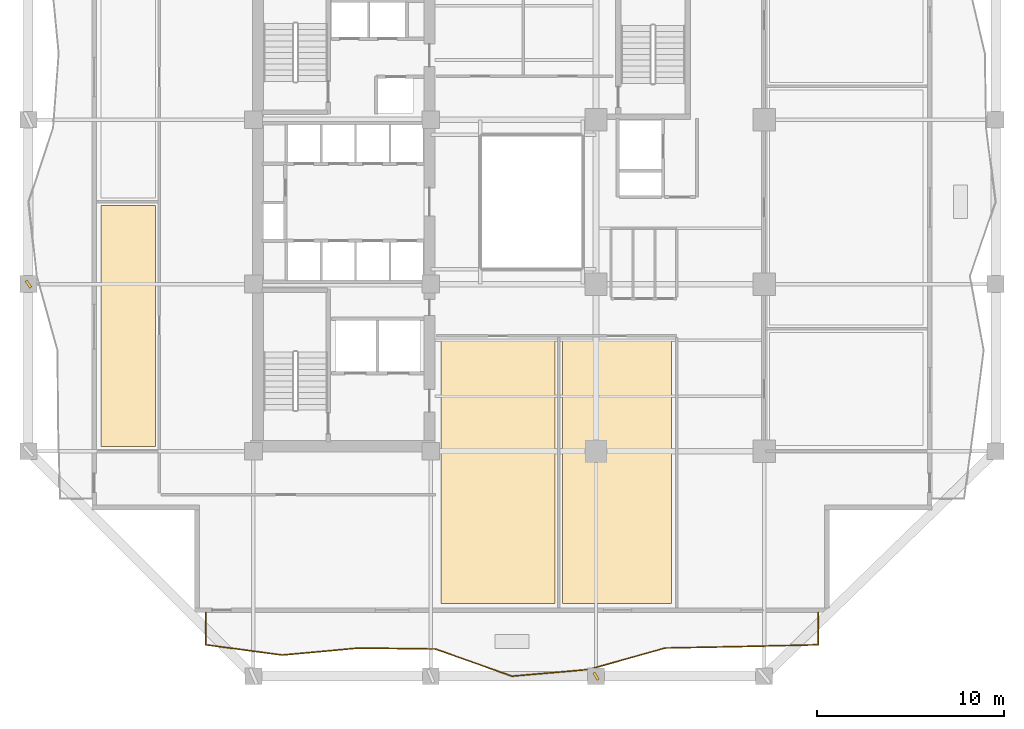
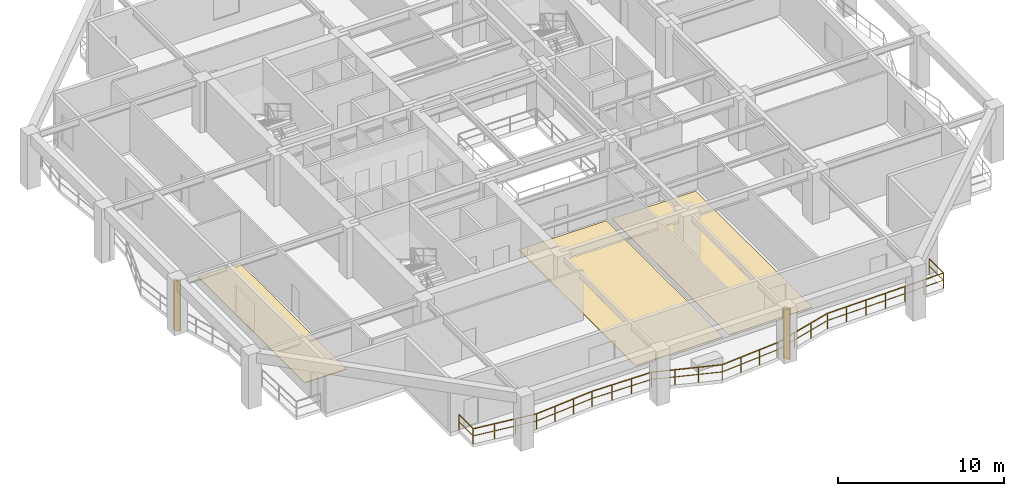
# One storey, part 7 of 12: 3 coverings, 2 shading devices, 1 railing.
"""IFC4 building model written with IfcOpenShell, lengths in metres."""

from ifc_helpers import new_model, si_unit, direction, frame, origin, origin_2d, place, context, subcontext, project, spatial, polyline, rectangle, outline, extrude, material, layer, layer_set, type_object, element, save


model = new_model("IFC4")

# Units and contexts
model_context = context("Model", 3, precision=1e-05, world=origin(), true_north=direction((0.0, 1.0)))
body_context = subcontext(model_context, "Body", "Model", "MODEL_VIEW")
ifc_project = project(units=[si_unit("LENGTHUNIT", "METRE"), si_unit("AREAUNIT", "SQUARE_METRE"), si_unit("VOLUMEUNIT", "CUBIC_METRE"), si_unit("PLANEANGLEUNIT", "RADIAN"), si_unit("MASSUNIT", "GRAM", prefix="KILO")], contexts=[model_context])

# Site, building, storey
site_placement = place(None, origin())
site = spatial("IfcSite", under=ifc_project, at=site_placement, CompositionType="ELEMENT")
building_placement = place(site_placement, origin())
building = spatial("IfcBuilding", under=site, at=building_placement, Name="Kundavana Baori Tower", CompositionType="ELEMENT")
storey_placement = place(building_placement, frame((0.0, 0.0, 42.0)))
storey = spatial("IfcBuildingStorey", under=building, at=storey_placement, Name="L09", CompositionType="ELEMENT", Elevation=42.0)

# Coverings
ifc_material_1 = material(Name="Honed Kota Stone and Terrazzo Flooring", Category="masonry")
ifc_layer_1 = layer(ifc_material_1, 0.0400390625, Name="COV-FLR-TERR-40")
ifc_layer_set_1 = layer_set([ifc_layer_1], Name="Honed Kota Stone and Terrazzo Flooring")
covering_type_1 = type_object("IfcCoveringType", Name="COV-FLR-TERR-40", PredefinedType="FLOORING", material=ifc_layer_set_1)
covering_1_placement = place(storey_placement, origin())
element("IfcCovering", 1, at=covering_1_placement, inside=storey, type_object=covering_type_1, Name="L09 Room Finished Stone Flooring 1", PredefinedType="FLOORING", context=body_context, shape_type="SweptSolid", body=[
    extrude(outline(polyline([(7.280029296875, 15.5), (10.199951171875, 15.5), (10.199951171875, 28.39990234375), (7.280029296875, 28.39990234375), (7.280029296875, 15.5)])), origin(), (0.0, 0.0, 1.0), 0.0400390625),
])
ifc_material_2 = material(Name="Honed Kota Stone and Terrazzo Flooring", Category="masonry")
ifc_layer_2 = layer(ifc_material_2, 0.030029296875, Name="COV-INT-FLR")
ifc_layer_set_2 = layer_set([ifc_layer_2], Name="Honed Kota Stone and Terrazzo Flooring")
covering_type_2 = type_object("IfcCoveringType", Name="COV-INT-FLR", PredefinedType="FLOORING", material=ifc_layer_set_2)
covering_2_placement = place(storey_placement, origin())
element("IfcCovering", 2, at=covering_2_placement, inside=storey, type_object=covering_type_2, Name="L09 Room Finished Stone Flooring 3", PredefinedType="FLOORING", context=body_context, shape_type="SweptSolid", body=[
    extrude(outline(polyline([(25.5, 7.080078125), (31.60009765625, 7.080078125), (31.60009765625, 21.199951171875), (25.5, 21.199951171875), (25.5, 7.080078125)])), origin(), (0.0, 0.0, 1.0), 0.030029296875),
])
covering_3_placement = place(storey_placement, origin())
element("IfcCovering", 3, at=covering_3_placement, inside=storey, type_object=covering_type_2, Name="L09 Room Finished Stone Flooring 4", PredefinedType="FLOORING", context=body_context, shape_type="SweptSolid", body=[
    extrude(outline(polyline([(32.0, 7.080078125), (37.840087890625, 7.080078125), (37.840087890625, 21.199951171875), (32.0, 21.199951171875), (32.0, 7.080078125)])), origin(), (0.0, 0.0, 1.0), 0.030029296875),
])

# Railing
ifc_material_3 = material(Name="Architectural Patinated Bronze Metalwork")
railing_type = type_object("IfcRailingType", Name="RL-BAL-1150", PredefinedType="BALUSTRADE", material=ifc_material_3)
railing_placement = place(storey_placement, frame((45.699951171875, 6.60009765625, 0.0)))
element("IfcRailing", 4, at=railing_placement, inside=storey, type_object=railing_type, Name="L09 Loggia Balcony Balustrade S", PredefinedType="BALUSTRADE", context=body_context, shape_type="SweptSolid", body=[
    extrude(rectangle(XDim=0.048095703125, YDim=0.048095703125, at=origin_2d()), frame((0.0, 0.0, 1.1259765625), z_axis=(0.0, -1.0, 0.0), x_axis=(1.0, 0.0, 0.0)), (0.0, 0.0, 1.0), 1.72021484375),
    extrude(rectangle(XDim=0.03125, YDim=0.03125, at=origin_2d()), frame((0.0, 0.0, 0.597900390625), z_axis=(0.0, -1.0, 0.0), x_axis=(1.0, 0.0, 0.0)), (0.0, 0.0, 1.0), 1.72021484375),
    extrude(rectangle(XDim=0.048095703125, YDim=0.048095703125, at=origin_2d()), frame((0.0, -1.72021484375, 1.1259765625), z_axis=(-0.99973729779, -0.02292019649, 0.0), x_axis=(0.02292019649, -0.99973729779, 0.0)), (0.0, 0.0, 1.0), 4.100830078125),
    extrude(rectangle(XDim=0.03125, YDim=0.03125, at=origin_2d()), frame((0.0, -1.72021484375, 0.597900390625), z_axis=(-0.99973729779, -0.02292019649, 0.0), x_axis=(0.02292019649, -0.99973729779, 0.0)), (0.0, 0.0, 1.0), 4.100830078125),
    extrude(rectangle(XDim=0.048095703125, YDim=0.048095703125, at=origin_2d()), frame((-4.099853515625, -1.814208984375, 1.1259765625), z_axis=(-0.999810489297, -0.01946754972, 0.0), x_axis=(0.01946754972, -0.999810489297, 0.0)), (0.0, 0.0, 1.0), 4.100830078125),
    extrude(rectangle(XDim=0.03125, YDim=0.03125, at=origin_2d()), frame((-4.099853515625, -1.814208984375, 0.597900390625), z_axis=(-0.999810489297, -0.01946754972, 0.0), x_axis=(0.01946754972, -0.999810489297, 0.0)), (0.0, 0.0, 1.0), 4.100830078125),
    extrude(rectangle(XDim=0.048095703125, YDim=0.048095703125, at=origin_2d()), frame((-8.199951171875, -1.89404296875, 1.1259765625), z_axis=(-0.962775041991, -0.270303937298, 0.0), x_axis=(0.270303937298, -0.962775041991, 0.0)), (0.0, 0.0, 1.0), 4.258544921875),
    extrude(rectangle(XDim=0.03125, YDim=0.03125, at=origin_2d()), frame((-8.199951171875, -1.89404296875, 0.597900390625), z_axis=(-0.962775041991, -0.270303937298, 0.0), x_axis=(0.270303937298, -0.962775041991, 0.0)), (0.0, 0.0, 1.0), 4.258544921875),
    extrude(rectangle(XDim=0.048095703125, YDim=0.048095703125, at=origin_2d()), frame((-12.300048828125, -3.045166015625, 1.1259765625), z_axis=(-0.996272576419, -0.086260961479, 0.0), x_axis=(0.086260961479, -0.996272576419, 0.0)), (0.0, 0.0, 1.0), 4.115234375),
    extrude(rectangle(XDim=0.03125, YDim=0.03125, at=origin_2d()), frame((-12.300048828125, -3.045166015625, 0.597900390625), z_axis=(-0.996272576419, -0.086260961479, 0.0), x_axis=(0.086260961479, -0.996272576419, 0.0)), (0.0, 0.0, 1.0), 4.115234375),
    extrude(rectangle(XDim=0.048095703125, YDim=0.048095703125, at=origin_2d()), frame((-16.39990234375, -3.400146484375, 1.1259765625), z_axis=(-0.942554346963, 0.334052844654, 0.0), x_axis=(-0.334052844654, -0.942554346963, 0.0)), (0.0, 0.0, 1.0), 4.35009765625),
    extrude(rectangle(XDim=0.03125, YDim=0.03125, at=origin_2d()), frame((-16.39990234375, -3.400146484375, 0.597900390625), z_axis=(-0.942554346963, 0.334052844654, 0.0), x_axis=(-0.334052844654, -0.942554346963, 0.0)), (0.0, 0.0, 1.0), 4.35009765625),
    extrude(rectangle(XDim=0.048095703125, YDim=0.048095703125, at=origin_2d()), frame((-20.5, -1.947021484375, 1.1259765625), z_axis=(-0.999916520755, 0.012920972131, 0.0), x_axis=(-0.012920972131, -0.999916520755, 0.0)), (0.0, 0.0, 1.0), 4.10009765625),
    extrude(rectangle(XDim=0.03125, YDim=0.03125, at=origin_2d()), frame((-20.5, -1.947021484375, 0.597900390625), z_axis=(-0.999916520755, 0.012920972131, 0.0), x_axis=(-0.012920972131, -0.999916520755, 0.0)), (0.0, 0.0, 1.0), 4.10009765625),
    extrude(rectangle(XDim=0.048095703125, YDim=0.048095703125, at=origin_2d()), frame((-24.599853515625, -1.89404296875, 1.1259765625), z_axis=(-0.995843480493, -0.091081075744, 0.0), x_axis=(0.091081075744, -0.995843480493, 0.0)), (0.0, 0.0, 1.0), 4.1171875),
    extrude(rectangle(XDim=0.03125, YDim=0.03125, at=origin_2d()), frame((-24.599853515625, -1.89404296875, 0.597900390625), z_axis=(-0.995843480493, -0.091081075744, 0.0), x_axis=(0.091081075744, -0.995843480493, 0.0)), (0.0, 0.0, 1.0), 4.1171875),
    extrude(rectangle(XDim=0.048095703125, YDim=0.048095703125, at=origin_2d()), frame((-28.699951171875, -2.26904296875, 1.1259765625), z_axis=(-0.991159730328, 0.132673995104, 0.0), x_axis=(-0.132673995104, -0.991159730328, 0.0)), (0.0, 0.0, 1.0), 4.13671875),
    extrude(rectangle(XDim=0.03125, YDim=0.03125, at=origin_2d()), frame((-28.699951171875, -2.26904296875, 0.597900390625), z_axis=(-0.991159730328, 0.132673995104, 0.0), x_axis=(-0.132673995104, -0.991159730328, 0.0)), (0.0, 0.0, 1.0), 4.13671875),
    extrude(rectangle(XDim=0.048095703125, YDim=0.048095703125, at=origin_2d()), frame((-32.800048828125, -1.72021484375, 1.1259765625), z_axis=(0.0, 1.0, 0.0), x_axis=(-1.0, 0.0, 0.0)), (0.0, 0.0, 1.0), 1.72021484375),
    extrude(rectangle(XDim=0.03125, YDim=0.03125, at=origin_2d()), frame((-32.800048828125, -1.72021484375, 0.597900390625), z_axis=(0.0, 1.0, 0.0), x_axis=(-1.0, 0.0, 0.0)), (0.0, 0.0, 1.0), 1.72021484375),
    extrude(rectangle(XDim=0.0419921875, YDim=0.0419921875, at=origin_2d()), origin(), (0.0, 0.0, 1.0), 1.101806640625),
    extrude(rectangle(XDim=0.0419921875, YDim=0.0419921875, at=origin_2d()), frame((0.0, -1.72021484375, 0.0)), (0.0, 0.0, 1.0), 1.101806640625),
    extrude(rectangle(XDim=0.0419921875, YDim=0.0419921875, at=origin_2d()), frame((-1.36669921875, -1.75146484375, 0.0)), (0.0, 0.0, 1.0), 1.101806640625),
    extrude(rectangle(XDim=0.0419921875, YDim=0.0419921875, at=origin_2d()), frame((-2.733154296875, -1.782958984375, 0.0)), (0.0, 0.0, 1.0), 1.101806640625),
    extrude(rectangle(XDim=0.0419921875, YDim=0.0419921875, at=origin_2d()), frame((-4.099853515625, -1.814208984375, 0.0)), (0.0, 0.0, 1.0), 1.101806640625),
    extrude(rectangle(XDim=0.0419921875, YDim=0.0419921875, at=origin_2d()), frame((-5.466552734375, -1.8408203125, 0.0)), (0.0, 0.0, 1.0), 1.101806640625),
    extrude(rectangle(XDim=0.0419921875, YDim=0.0419921875, at=origin_2d()), frame((-6.833251953125, -1.867431640625, 0.0)), (0.0, 0.0, 1.0), 1.101806640625),
    extrude(rectangle(XDim=0.0419921875, YDim=0.0419921875, at=origin_2d()), frame((-8.199951171875, -1.89404296875, 0.0)), (0.0, 0.0, 1.0), 1.101806640625),
    extrude(rectangle(XDim=0.0419921875, YDim=0.0419921875, at=origin_2d()), frame((-9.566650390625, -2.27783203125, 0.0)), (0.0, 0.0, 1.0), 1.101806640625),
    extrude(rectangle(XDim=0.0419921875, YDim=0.0419921875, at=origin_2d()), frame((-10.933349609375, -2.661376953125, 0.0)), (0.0, 0.0, 1.0), 1.101806640625),
    extrude(rectangle(XDim=0.0419921875, YDim=0.0419921875, at=origin_2d()), frame((-12.300048828125, -3.045166015625, 0.0)), (0.0, 0.0, 1.0), 1.101806640625),
    extrude(rectangle(XDim=0.0419921875, YDim=0.0419921875, at=origin_2d()), frame((-13.666748046875, -3.16357421875, 0.0)), (0.0, 0.0, 1.0), 1.101806640625),
    extrude(rectangle(XDim=0.0419921875, YDim=0.0419921875, at=origin_2d()), frame((-15.033203125, -3.28173828125, 0.0)), (0.0, 0.0, 1.0), 1.101806640625),
    extrude(rectangle(XDim=0.0419921875, YDim=0.0419921875, at=origin_2d()), frame((-16.39990234375, -3.400146484375, 0.0)), (0.0, 0.0, 1.0), 1.101806640625),
    extrude(rectangle(XDim=0.0419921875, YDim=0.0419921875, at=origin_2d()), frame((-17.7666015625, -2.915771484375, 0.0)), (0.0, 0.0, 1.0), 1.101806640625),
    extrude(rectangle(XDim=0.0419921875, YDim=0.0419921875, at=origin_2d()), frame((-19.13330078125, -2.431396484375, 0.0)), (0.0, 0.0, 1.0), 1.101806640625),
    extrude(rectangle(XDim=0.0419921875, YDim=0.0419921875, at=origin_2d()), frame((-20.5, -1.947021484375, 0.0)), (0.0, 0.0, 1.0), 1.101806640625),
    extrude(rectangle(XDim=0.0419921875, YDim=0.0419921875, at=origin_2d()), frame((-21.86669921875, -1.929443359375, 0.0)), (0.0, 0.0, 1.0), 1.101806640625),
    extrude(rectangle(XDim=0.0419921875, YDim=0.0419921875, at=origin_2d()), frame((-23.233154296875, -1.91162109375, 0.0)), (0.0, 0.0, 1.0), 1.101806640625),
    extrude(rectangle(XDim=0.0419921875, YDim=0.0419921875, at=origin_2d()), frame((-24.599853515625, -1.89404296875, 0.0)), (0.0, 0.0, 1.0), 1.101806640625),
    extrude(rectangle(XDim=0.0419921875, YDim=0.0419921875, at=origin_2d()), frame((-25.966552734375, -2.01904296875, 0.0)), (0.0, 0.0, 1.0), 1.101806640625),
    extrude(rectangle(XDim=0.0419921875, YDim=0.0419921875, at=origin_2d()), frame((-27.333251953125, -2.14404296875, 0.0)), (0.0, 0.0, 1.0), 1.101806640625),
    extrude(rectangle(XDim=0.0419921875, YDim=0.0419921875, at=origin_2d()), frame((-28.699951171875, -2.26904296875, 0.0)), (0.0, 0.0, 1.0), 1.101806640625),
    extrude(rectangle(XDim=0.0419921875, YDim=0.0419921875, at=origin_2d()), frame((-30.066650390625, -2.086181640625, 0.0)), (0.0, 0.0, 1.0), 1.101806640625),
    extrude(rectangle(XDim=0.0419921875, YDim=0.0419921875, at=origin_2d()), frame((-31.433349609375, -1.903076171875, 0.0)), (0.0, 0.0, 1.0), 1.101806640625),
    extrude(rectangle(XDim=0.0419921875, YDim=0.0419921875, at=origin_2d()), frame((-32.800048828125, -1.72021484375, 0.0)), (0.0, 0.0, 1.0), 1.101806640625),
    extrude(rectangle(XDim=0.0419921875, YDim=0.0419921875, at=origin_2d()), frame((-32.800048828125, 0.0, 0.0)), (0.0, 0.0, 1.0), 1.101806640625),
])

# Shading devices
ifc_material_4 = material(Name="Architectural Patinated Bronze Metalwork")
shading_device_type = type_object("IfcShadingDeviceType", Name="SHD-LOUV-450", PredefinedType="SHUTTER", material=ifc_material_4)
for number, where, z_axis, x_axis, name in (
    (5, (33.800048828125, 3.199951171875, 0.0), (0.0, 0.0, 1.0), (0.860119473365, 0.510092630351, 0.0), "L09 Sweeping Dholpur Sandstone Facade Fin 3"),
    (6, (3.39990234375, 24.199951171875, 0.0), (0.0, 0.0, 1.0), (0.822044670489, 0.569423005964, 0.0), "L09 Sweeping Dholpur Sandstone Facade Fin 6"),
):
    element("IfcShadingDevice", number, at=place(storey_placement, frame(where, z_axis=z_axis, x_axis=x_axis)), inside=storey, type_object=shading_device_type, Name=name, PredefinedType="SHUTTER", context=body_context, shape_type="SweptSolid", body=[
        extrude(rectangle(XDim=0.139892578125, YDim=0.449951171875, at=origin_2d()), origin(), (0.0, 0.0, 1.0), 3.719970703125),
    ])

save(model, "model.ifc")
